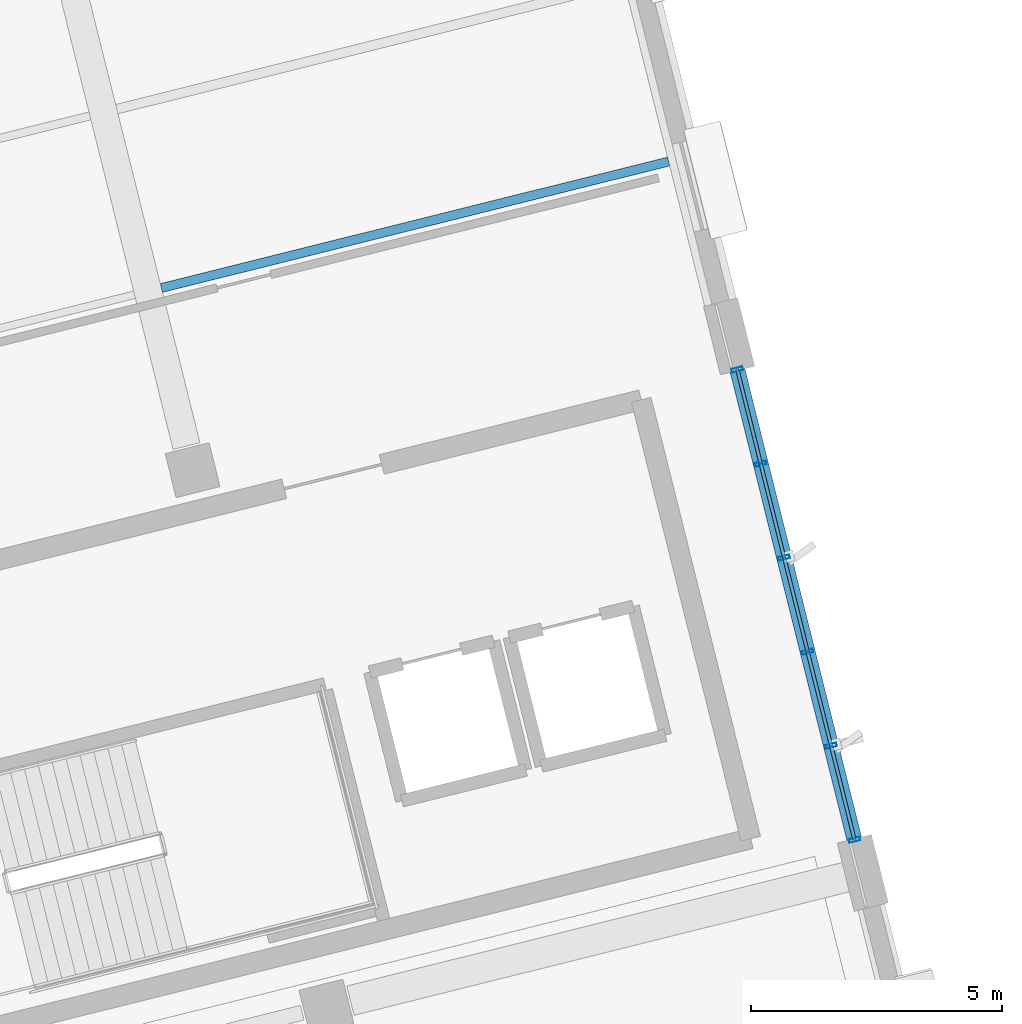
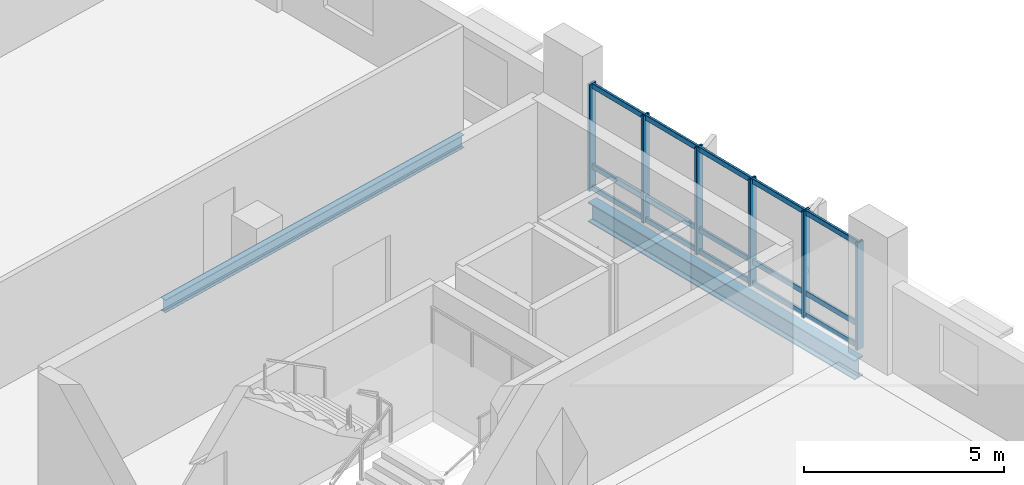
# One storey, part 19 of 42: 21 members, 2 beams, 1 element without a shape of its own.
"""IFC4 building model written with IfcOpenShell, lengths in metres."""

from ifc_helpers import new_model, si_unit, direction, frame, origin, origin_2d, place, context, subcontext, project, spatial, hollow_rectangle, i_section, extrude, material, layer, layer_set, material_profile, profile_set, type_object, element, aggregate, save


model = new_model("IFC4")

# Units and contexts
model_context = context("Model", 3, precision=1e-05, world=origin(), true_north=direction((0.0, 1.0)))
body_context = subcontext(model_context, "Body", "Model", "MODEL_VIEW")
ifc_project = project(units=[si_unit("LENGTHUNIT", "METRE"), si_unit("AREAUNIT", "SQUARE_METRE"), si_unit("VOLUMEUNIT", "CUBIC_METRE"), si_unit("PLANEANGLEUNIT", "RADIAN"), si_unit("MASSUNIT", "GRAM", prefix="KILO")], contexts=[model_context])

# Site, building, storey
site_placement = place(None, origin())
site = spatial("IfcSite", under=ifc_project, at=site_placement, CompositionType="ELEMENT")
building_placement = place(site_placement, origin())
building = spatial("IfcBuilding", under=site, at=building_placement, Name="Khorjan Park Terminus", CompositionType="ELEMENT")
storey_placement = place(building_placement, frame((0.0, 0.0, 20.4)))
storey = spatial("IfcBuildingStorey", under=building, at=storey_placement, Name="L04", CompositionType="ELEMENT", Elevation=20.4)

# Beams
ifc_material_1 = material(Name="Steel S355", Category="steel")
ifc_material_profile_1 = material_profile(ifc_material_1, i_section(OverallWidth=0.3, OverallDepth=0.6, WebThickness=0.0155, FlangeThickness=0.03, FilletRadius=0.027, at=origin_2d()), Name="HEB 600")
ifc_profile_set_1 = profile_set([ifc_material_profile_1], Name="Steel S355")
beam_type_1 = type_object("IfcBeamType", Name="BM-HEB600", PredefinedType="BEAM", material=ifc_profile_set_1)
beam_1_placement = place(storey_placement, frame((224.5491, 39.9877, -0.64), z_axis=(-0.241925915978, 0.970294723874, 0.0), x_axis=(-0.970294723874, -0.241925915978, 0.0)))
element("IfcBeam", 1, at=beam_1_placement, inside=storey, type_object=beam_type_1, Name="Primary skew-grid floor girder SB-B60 (L04)", PredefinedType="BEAM", context=body_context, shape_type="SweptSolid", body=[
    extrude(i_section(OverallWidth=0.3, OverallDepth=0.6, WebThickness=0.0155, FlangeThickness=0.03, FilletRadius=0.027, at=origin_2d()), origin(), (0.0, 0.0, 1.0), 9.61),
])
ifc_material_profile_2 = material_profile(ifc_material_1, i_section(OverallWidth=0.18, OverallDepth=0.4, WebThickness=0.0086, FlangeThickness=0.0135, FilletRadius=0.021, at=origin_2d()), Name="IPE 400")
ifc_profile_set_2 = profile_set([ifc_material_profile_2], Name="Steel S355")
beam_type_2 = type_object("IfcBeamType", Name="JS-IPE400", PredefinedType="JOIST", material=ifc_profile_set_2)
beam_2_placement = place(storey_placement, frame((210.7626, 50.9498, -0.54), z_axis=(0.970295586552, 0.241922456002, 0.0), x_axis=(-0.241922456002, 0.970295586552, 0.0)))
element("IfcBeam", 2, at=beam_2_placement, inside=storey, type_object=beam_type_2, Name="Secondary composite floor joist SJ-40 (L04)", PredefinedType="JOIST", context=body_context, shape_type="SweptSolid", body=[
    extrude(i_section(OverallWidth=0.18, OverallDepth=0.4, WebThickness=0.0086, FlangeThickness=0.0135, FilletRadius=0.021, at=origin_2d()), origin(), (0.0, 0.0, 1.0), 10.4),
])

# Curtain wall, members
ifc_material_2 = material(Name="Anodized Bronze Aluminium", Category="aluminium")
ifc_layer = layer(ifc_material_2, 0.22)
ifc_layer_set = layer_set([ifc_layer], Name="Anodized Bronze Aluminium")
curtain_wall_type = type_object("IfcCurtainWallType", Name="CW-OPS-B", PredefinedType="NOTDEFINED", material=ifc_layer_set)
curtain_wall_placement = place(storey_placement, origin())
curtain_wall = element("IfcCurtainWall", 3, at=curtain_wall_placement, inside=storey, type_object=curtain_wall_type, Name="Unitized curtain wall CW-B (CW-V5-E-L04-B03)", PredefinedType="NOTDEFINED")
ifc_material_profile_3 = material_profile(ifc_material_2, hollow_rectangle(XDim=0.075, YDim=0.225, WallThickness=0.005, InnerFilletRadius=0.005, OuterFilletRadius=0.01, at=origin_2d()), Name="ALM 75x225x5")
ifc_profile_set_3 = profile_set([ifc_material_profile_3], Name="Anodized Bronze Aluminium")
member_type_1 = type_object("IfcMemberType", Name="ML-ALM-225", PredefinedType="MULLION", material=ifc_profile_set_3)
member_1_placement = place(storey_placement, frame((224.5528, 39.9729, -0.035), z_axis=(0.0, 0.0, 1.0), x_axis=(-0.241922975976, 0.970295456907, 0.0)))
member_1 = element("IfcMember", 4, at=member_1_placement, type_object=member_type_1, Name="Curtain-wall mullion ML-22 (CW-V5-E-L04-B03-0)", PredefinedType="MULLION", context=body_context, shape_type="SweptSolid", body=[
    extrude(hollow_rectangle(XDim=0.075, YDim=0.225, WallThickness=0.005, InnerFilletRadius=0.005, OuterFilletRadius=0.01, at=origin_2d()), origin(), (0.0, 0.0, 1.0), 3.275),
])
member_2_placement = place(storey_placement, frame((224.0863, 41.8438, -0.035), z_axis=(0.0, 0.0, 1.0), x_axis=(-0.241922975976, 0.970295456907, 0.0)))
member_2 = element("IfcMember", 5, at=member_2_placement, type_object=member_type_1, Name="Curtain-wall mullion ML-22 (CW-V5-E-L04-B03-1)", PredefinedType="MULLION", context=body_context, shape_type="SweptSolid", body=[
    extrude(hollow_rectangle(XDim=0.075, YDim=0.225, WallThickness=0.005, InnerFilletRadius=0.005, OuterFilletRadius=0.01, at=origin_2d()), origin(), (0.0, 0.0, 1.0), 3.275),
])
member_3_placement = place(storey_placement, frame((223.6199, 43.7146, -0.035), z_axis=(0.0, 0.0, 1.0), x_axis=(-0.241922975976, 0.970295456907, 0.0)))
member_3 = element("IfcMember", 6, at=member_3_placement, type_object=member_type_1, Name="Curtain-wall mullion ML-22 (CW-V5-E-L04-B03-2)", PredefinedType="MULLION", context=body_context, shape_type="SweptSolid", body=[
    extrude(hollow_rectangle(XDim=0.075, YDim=0.225, WallThickness=0.005, InnerFilletRadius=0.005, OuterFilletRadius=0.01, at=origin_2d()), origin(), (0.0, 0.0, 1.0), 3.275),
])
member_4_placement = place(storey_placement, frame((223.1534, 45.5855, -0.035), z_axis=(0.0, 0.0, 1.0), x_axis=(-0.241922975976, 0.970295456907, 0.0)))
member_4 = element("IfcMember", 7, at=member_4_placement, type_object=member_type_1, Name="Curtain-wall mullion ML-22 (CW-V5-E-L04-B03-3)", PredefinedType="MULLION", context=body_context, shape_type="SweptSolid", body=[
    extrude(hollow_rectangle(XDim=0.075, YDim=0.225, WallThickness=0.005, InnerFilletRadius=0.005, OuterFilletRadius=0.01, at=origin_2d()), origin(), (0.0, 0.0, 1.0), 3.275),
])
member_5_placement = place(storey_placement, frame((222.687, 47.4563, -0.035), z_axis=(0.0, 0.0, 1.0), x_axis=(-0.241922975976, 0.970295456907, 0.0)))
member_5 = element("IfcMember", 8, at=member_5_placement, type_object=member_type_1, Name="Curtain-wall mullion ML-22 (CW-V5-E-L04-B03-4)", PredefinedType="MULLION", context=body_context, shape_type="SweptSolid", body=[
    extrude(hollow_rectangle(XDim=0.075, YDim=0.225, WallThickness=0.005, InnerFilletRadius=0.005, OuterFilletRadius=0.01, at=origin_2d()), origin(), (0.0, 0.0, 1.0), 3.275),
])
member_6_placement = place(storey_placement, frame((222.2205, 49.3272, -0.035), z_axis=(0.0, 0.0, 1.0), x_axis=(-0.241922975976, 0.970295456907, 0.0)))
member_6 = element("IfcMember", 9, at=member_6_placement, type_object=member_type_1, Name="Curtain-wall mullion ML-22 (CW-V5-E-L04-B03-5)", PredefinedType="MULLION", context=body_context, shape_type="SweptSolid", body=[
    extrude(hollow_rectangle(XDim=0.075, YDim=0.225, WallThickness=0.005, InnerFilletRadius=0.005, OuterFilletRadius=0.01, at=origin_2d()), origin(), (0.0, 0.0, 1.0), 3.275),
])
ifc_material_profile_4 = material_profile(ifc_material_2, hollow_rectangle(XDim=0.07, YDim=0.16, WallThickness=0.004, InnerFilletRadius=0.004, OuterFilletRadius=0.008, at=origin_2d()), Name="ALT 70x160x4")
ifc_profile_set_4 = profile_set([ifc_material_profile_4], Name="Anodized Bronze Aluminium")
member_type_2 = type_object("IfcMemberType", Name="TR-ALT-160", PredefinedType="USERDEFINED", material=ifc_profile_set_4)
member_7_placement = place(storey_placement, frame((224.5528, 39.9729, 0.04), z_axis=(-0.241937637138, 0.970291801334, 0.0), x_axis=(-0.970291801334, -0.241937637138, 0.0)))
member_7 = element("IfcMember", 10, at=member_7_placement, type_object=member_type_2, Name="Curtain-wall transom TR-16 (CW-V5-E-L04-B03-0-1)", ObjectType="TRANSOM", PredefinedType="USERDEFINED", context=body_context, shape_type="SweptSolid", body=[
    extrude(hollow_rectangle(XDim=0.07, YDim=0.16, WallThickness=0.004, InnerFilletRadius=0.004, OuterFilletRadius=0.008, at=origin_2d()), origin(), (0.0, 0.0, 1.0), 1.9282),
])
member_8_placement = place(storey_placement, frame((224.5528, 39.9729, 0.705), z_axis=(-0.241937637138, 0.970291801334, 0.0), x_axis=(-0.970291801334, -0.241937637138, 0.0)))
member_8 = element("IfcMember", 11, at=member_8_placement, type_object=member_type_2, Name="Curtain-wall transom TR-16 (CW-V5-E-L04-B03-0-2)", ObjectType="TRANSOM", PredefinedType="USERDEFINED", context=body_context, shape_type="SweptSolid", body=[
    extrude(hollow_rectangle(XDim=0.07, YDim=0.16, WallThickness=0.004, InnerFilletRadius=0.004, OuterFilletRadius=0.008, at=origin_2d()), origin(), (0.0, 0.0, 1.0), 1.9282),
])
member_9_placement = place(storey_placement, frame((224.5528, 39.9729, 3.165), z_axis=(-0.241937637138, 0.970291801334, 0.0), x_axis=(-0.970291801334, -0.241937637138, 0.0)))
member_9 = element("IfcMember", 12, at=member_9_placement, type_object=member_type_2, Name="Curtain-wall transom TR-16 (CW-V5-E-L04-B03-0-3)", ObjectType="TRANSOM", PredefinedType="USERDEFINED", context=body_context, shape_type="SweptSolid", body=[
    extrude(hollow_rectangle(XDim=0.07, YDim=0.16, WallThickness=0.004, InnerFilletRadius=0.004, OuterFilletRadius=0.008, at=origin_2d()), origin(), (0.0, 0.0, 1.0), 1.9282),
])
member_10_placement = place(storey_placement, frame((224.0863, 41.8438, 0.04), z_axis=(-0.241900982739, 0.970300940198, 0.0), x_axis=(-0.970300940198, -0.241900982739, 0.0)))
member_10 = element("IfcMember", 13, at=member_10_placement, type_object=member_type_2, Name="Curtain-wall transom TR-16 (CW-V5-E-L04-B03-1-1)", ObjectType="TRANSOM", PredefinedType="USERDEFINED", context=body_context, shape_type="SweptSolid", body=[
    extrude(hollow_rectangle(XDim=0.07, YDim=0.16, WallThickness=0.004, InnerFilletRadius=0.004, OuterFilletRadius=0.008, at=origin_2d()), origin(), (0.0, 0.0, 1.0), 1.9281),
])
member_11_placement = place(storey_placement, frame((224.0863, 41.8438, 0.705), z_axis=(-0.241900982739, 0.970300940198, 0.0), x_axis=(-0.970300940198, -0.241900982739, 0.0)))
member_11 = element("IfcMember", 14, at=member_11_placement, type_object=member_type_2, Name="Curtain-wall transom TR-16 (CW-V5-E-L04-B03-1-2)", ObjectType="TRANSOM", PredefinedType="USERDEFINED", context=body_context, shape_type="SweptSolid", body=[
    extrude(hollow_rectangle(XDim=0.07, YDim=0.16, WallThickness=0.004, InnerFilletRadius=0.004, OuterFilletRadius=0.008, at=origin_2d()), origin(), (0.0, 0.0, 1.0), 1.9281),
])
member_12_placement = place(storey_placement, frame((224.0863, 41.8438, 3.165), z_axis=(-0.241900982739, 0.970300940198, 0.0), x_axis=(-0.970300940198, -0.241900982739, 0.0)))
member_12 = element("IfcMember", 15, at=member_12_placement, type_object=member_type_2, Name="Curtain-wall transom TR-16 (CW-V5-E-L04-B03-1-3)", ObjectType="TRANSOM", PredefinedType="USERDEFINED", context=body_context, shape_type="SweptSolid", body=[
    extrude(hollow_rectangle(XDim=0.07, YDim=0.16, WallThickness=0.004, InnerFilletRadius=0.004, OuterFilletRadius=0.008, at=origin_2d()), origin(), (0.0, 0.0, 1.0), 1.9281),
])
member_13_placement = place(storey_placement, frame((223.6199, 43.7146, 0.04), z_axis=(-0.241937637138, 0.970291801334, 0.0), x_axis=(-0.970291801334, -0.241937637138, 0.0)))
member_13 = element("IfcMember", 16, at=member_13_placement, type_object=member_type_2, Name="Curtain-wall transom TR-16 (CW-V5-E-L04-B03-2-1)", ObjectType="TRANSOM", PredefinedType="USERDEFINED", context=body_context, shape_type="SweptSolid", body=[
    extrude(hollow_rectangle(XDim=0.07, YDim=0.16, WallThickness=0.004, InnerFilletRadius=0.004, OuterFilletRadius=0.008, at=origin_2d()), origin(), (0.0, 0.0, 1.0), 1.9282),
])
member_14_placement = place(storey_placement, frame((223.6199, 43.7146, 0.705), z_axis=(-0.241937637138, 0.970291801334, 0.0), x_axis=(-0.970291801334, -0.241937637138, 0.0)))
member_14 = element("IfcMember", 17, at=member_14_placement, type_object=member_type_2, Name="Curtain-wall transom TR-16 (CW-V5-E-L04-B03-2-2)", ObjectType="TRANSOM", PredefinedType="USERDEFINED", context=body_context, shape_type="SweptSolid", body=[
    extrude(hollow_rectangle(XDim=0.07, YDim=0.16, WallThickness=0.004, InnerFilletRadius=0.004, OuterFilletRadius=0.008, at=origin_2d()), origin(), (0.0, 0.0, 1.0), 1.9282),
])
member_15_placement = place(storey_placement, frame((223.6199, 43.7146, 3.165), z_axis=(-0.241937637138, 0.970291801334, 0.0), x_axis=(-0.970291801334, -0.241937637138, 0.0)))
member_15 = element("IfcMember", 18, at=member_15_placement, type_object=member_type_2, Name="Curtain-wall transom TR-16 (CW-V5-E-L04-B03-2-3)", ObjectType="TRANSOM", PredefinedType="USERDEFINED", context=body_context, shape_type="SweptSolid", body=[
    extrude(hollow_rectangle(XDim=0.07, YDim=0.16, WallThickness=0.004, InnerFilletRadius=0.004, OuterFilletRadius=0.008, at=origin_2d()), origin(), (0.0, 0.0, 1.0), 1.9282),
])
member_16_placement = place(storey_placement, frame((223.1534, 45.5855, 0.04), z_axis=(-0.241900982739, 0.970300940198, 0.0), x_axis=(-0.970300940198, -0.241900982739, 0.0)))
member_16 = element("IfcMember", 19, at=member_16_placement, type_object=member_type_2, Name="Curtain-wall transom TR-16 (CW-V5-E-L04-B03-3-1)", ObjectType="TRANSOM", PredefinedType="USERDEFINED", context=body_context, shape_type="SweptSolid", body=[
    extrude(hollow_rectangle(XDim=0.07, YDim=0.16, WallThickness=0.004, InnerFilletRadius=0.004, OuterFilletRadius=0.008, at=origin_2d()), origin(), (0.0, 0.0, 1.0), 1.9281),
])
member_17_placement = place(storey_placement, frame((223.1534, 45.5855, 0.705), z_axis=(-0.241900982739, 0.970300940198, 0.0), x_axis=(-0.970300940198, -0.241900982739, 0.0)))
member_17 = element("IfcMember", 20, at=member_17_placement, type_object=member_type_2, Name="Curtain-wall transom TR-16 (CW-V5-E-L04-B03-3-2)", ObjectType="TRANSOM", PredefinedType="USERDEFINED", context=body_context, shape_type="SweptSolid", body=[
    extrude(hollow_rectangle(XDim=0.07, YDim=0.16, WallThickness=0.004, InnerFilletRadius=0.004, OuterFilletRadius=0.008, at=origin_2d()), origin(), (0.0, 0.0, 1.0), 1.9281),
])
member_18_placement = place(storey_placement, frame((223.1534, 45.5855, 3.165), z_axis=(-0.241900982739, 0.970300940198, 0.0), x_axis=(-0.970300940198, -0.241900982739, 0.0)))
member_18 = element("IfcMember", 21, at=member_18_placement, type_object=member_type_2, Name="Curtain-wall transom TR-16 (CW-V5-E-L04-B03-3-3)", ObjectType="TRANSOM", PredefinedType="USERDEFINED", context=body_context, shape_type="SweptSolid", body=[
    extrude(hollow_rectangle(XDim=0.07, YDim=0.16, WallThickness=0.004, InnerFilletRadius=0.004, OuterFilletRadius=0.008, at=origin_2d()), origin(), (0.0, 0.0, 1.0), 1.9281),
])
member_19_placement = place(storey_placement, frame((222.687, 47.4563, 0.04), z_axis=(-0.241937637138, 0.970291801334, 0.0), x_axis=(-0.970291801334, -0.241937637138, 0.0)))
member_19 = element("IfcMember", 22, at=member_19_placement, type_object=member_type_2, Name="Curtain-wall transom TR-16 (CW-V5-E-L04-B03-4-1)", ObjectType="TRANSOM", PredefinedType="USERDEFINED", context=body_context, shape_type="SweptSolid", body=[
    extrude(hollow_rectangle(XDim=0.07, YDim=0.16, WallThickness=0.004, InnerFilletRadius=0.004, OuterFilletRadius=0.008, at=origin_2d()), origin(), (0.0, 0.0, 1.0), 1.9282),
])
member_20_placement = place(storey_placement, frame((222.687, 47.4563, 0.705), z_axis=(-0.241937637138, 0.970291801334, 0.0), x_axis=(-0.970291801334, -0.241937637138, 0.0)))
member_20 = element("IfcMember", 23, at=member_20_placement, type_object=member_type_2, Name="Curtain-wall transom TR-16 (CW-V5-E-L04-B03-4-2)", ObjectType="TRANSOM", PredefinedType="USERDEFINED", context=body_context, shape_type="SweptSolid", body=[
    extrude(hollow_rectangle(XDim=0.07, YDim=0.16, WallThickness=0.004, InnerFilletRadius=0.004, OuterFilletRadius=0.008, at=origin_2d()), origin(), (0.0, 0.0, 1.0), 1.9282),
])
member_21_placement = place(storey_placement, frame((222.687, 47.4563, 3.165), z_axis=(-0.241937637138, 0.970291801334, 0.0), x_axis=(-0.970291801334, -0.241937637138, 0.0)))
member_21 = element("IfcMember", 24, at=member_21_placement, type_object=member_type_2, Name="Curtain-wall transom TR-16 (CW-V5-E-L04-B03-4-3)", ObjectType="TRANSOM", PredefinedType="USERDEFINED", context=body_context, shape_type="SweptSolid", body=[
    extrude(hollow_rectangle(XDim=0.07, YDim=0.16, WallThickness=0.004, InnerFilletRadius=0.004, OuterFilletRadius=0.008, at=origin_2d()), origin(), (0.0, 0.0, 1.0), 1.9282),
])
aggregate(curtain_wall, [member_1, member_2, member_3, member_4, member_5, member_6, member_7, member_8, member_9, member_10, member_11, member_12, member_13, member_14, member_15, member_16, member_17, member_18, member_19, member_20, member_21])

save(model, "model.ifc")
